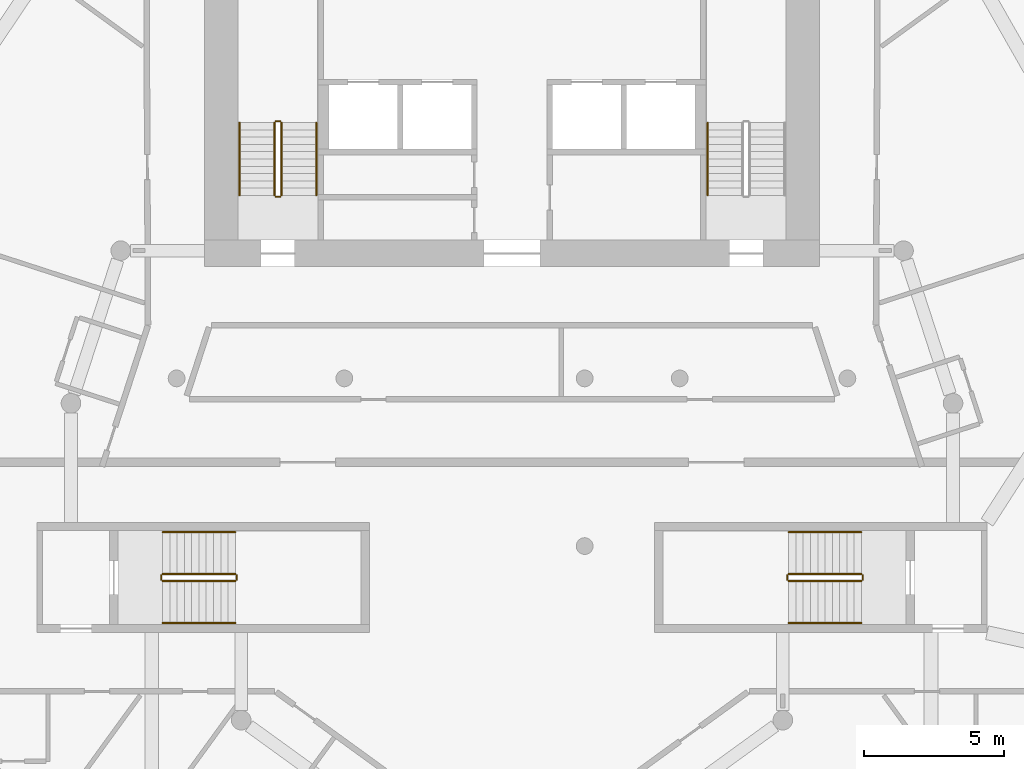
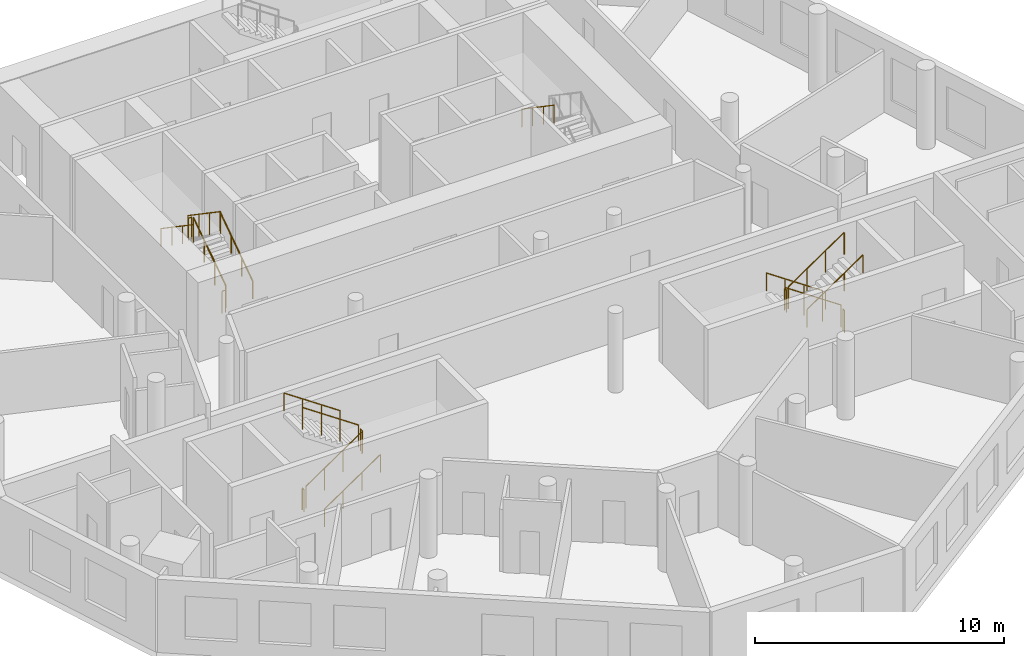
# One storey, part 8 of 9: 19 railings.
"""IFC4 building model written with IfcOpenShell, lengths in metres."""

from ifc_helpers import new_model, si_unit, direction, frame, origin, origin_2d, place, context, subcontext, project, spatial, circle, extrude, material, type_object, element, save


model = new_model("IFC4")

# Units and contexts
model_context = context("Model", 3, precision=1e-05, world=origin(), true_north=direction((0.0, 1.0)))
body_context = subcontext(model_context, "Body", "Model", "MODEL_VIEW")
ifc_project = project(units=[si_unit("LENGTHUNIT", "METRE"), si_unit("AREAUNIT", "SQUARE_METRE"), si_unit("VOLUMEUNIT", "CUBIC_METRE"), si_unit("PLANEANGLEUNIT", "RADIAN"), si_unit("MASSUNIT", "GRAM", prefix="KILO")], contexts=[model_context])

# Site, building, storey
site_placement = place(None, origin())
site = spatial("IfcSite", under=ifc_project, at=site_placement, CompositionType="ELEMENT")
building_placement = place(site_placement, origin())
building = spatial("IfcBuilding", under=site, at=building_placement, Name="White Candle Pilgrim Tower", CompositionType="ELEMENT")
storey_placement = place(building_placement, frame((0.0, 0.0, 175.89990234375)))
storey = spatial("IfcBuildingStorey", under=building, at=storey_placement, Name="L40", CompositionType="ELEMENT", Elevation=175.89990234375)

# Railings
ifc_material = material(Name="Stainless steel", Category="steel")
railing_type_1 = type_object("IfcRailingType", Name="Stair guard stainless steel 1100 mm", PredefinedType="GUARDRAIL", material=ifc_material)
railing_1_placement = place(storey_placement, frame((61.75, 73.550048828125, 0.177490234375)))
element("IfcRailing", 1, at=railing_1_placement, inside=storey, type_object=railing_type_1, Name="L40 ST1 stair guard 1", PredefinedType="GUARDRAIL", context=body_context, shape_type="SweptSolid", body=[
    extrude(circle(Radius=0.02392578125, at=origin_2d()), frame((0.0, 0.0, 1.076171875), z_axis=(0.0, 0.826215852431, 0.563353676824), x_axis=(-1.0, 0.0, 0.0)), (0.0, 0.0, 1.0), 3.146728515625),
    extrude(circle(Radius=0.02099609375, at=origin_2d()), origin(), (0.0, 0.0, 1.0), 1.052001953125),
    extrude(circle(Radius=0.02099609375, at=origin_2d()), frame((0.0, 0.86669921875, 0.5908203125)), (0.0, 0.0, 1.0), 1.052001953125),
    extrude(circle(Radius=0.02099609375, at=origin_2d()), frame((0.0, 1.733154296875, 1.181884765625)), (0.0, 0.0, 1.0), 1.052001953125),
    extrude(circle(Radius=0.02099609375, at=origin_2d()), frame((0.0, 2.599853515625, 1.772705078125)), (0.0, 0.0, 1.0), 1.052001953125),
])
railing_2_placement = place(storey_placement, frame((61.699951171875, 76.199951171875, 1.9501953125)))
element("IfcRailing", 2, at=railing_2_placement, inside=storey, type_object=railing_type_1, Name="L40 ST1 stair guard 2", PredefinedType="GUARDRAIL", context=body_context, shape_type="SweptSolid", body=[
    extrude(circle(Radius=0.02392578125, at=origin_2d()), frame((0.0, 0.0, 1.076171875), z_axis=(-1.0, 0.0, 0.0), x_axis=(0.0, -1.0, 0.0)), (0.0, 0.0, 1.0), 0.14990234375),
    extrude(circle(Radius=0.02099609375, at=origin_2d()), origin(), (0.0, 0.0, 1.0), 1.052001953125),
    extrude(circle(Radius=0.02099609375, at=origin_2d()), frame((-0.14990234375, 0.0, 0.0)), (0.0, 0.0, 1.0), 1.052001953125),
])
railing_3_placement = place(storey_placement, frame((61.5, 76.14990234375, 2.12744140625)))
element("IfcRailing", 3, at=railing_3_placement, inside=storey, type_object=railing_type_1, Name="L40 ST1 stair guard 3", PredefinedType="GUARDRAIL", context=body_context, shape_type="SweptSolid", body=[
    extrude(circle(Radius=0.02392578125, at=origin_2d()), frame((0.0, 0.0, 1.076171875), z_axis=(0.0, -0.826215852431, 0.563353676824), x_axis=(1.0, 0.0, 0.0)), (0.0, 0.0, 1.0), 3.146728515625),
    extrude(circle(Radius=0.02099609375, at=origin_2d()), origin(), (0.0, 0.0, 1.0), 1.052001953125),
    extrude(circle(Radius=0.02099609375, at=origin_2d()), frame((0.0, -0.86669921875, 0.5908203125)), (0.0, 0.0, 1.0), 1.052001953125),
    extrude(circle(Radius=0.02099609375, at=origin_2d()), frame((0.0, -1.733154296875, 1.181884765625)), (0.0, 0.0, 1.0), 1.052001953125),
    extrude(circle(Radius=0.02099609375, at=origin_2d()), frame((0.0, -2.599853515625, 1.772705078125)), (0.0, 0.0, 1.0), 1.052001953125),
])
railing_4_placement = place(storey_placement, frame((61.699951171875, 73.5, 0.0)))
element("IfcRailing", 4, at=railing_4_placement, inside=storey, type_object=railing_type_1, Name="L40 ST1 stair guard 4", PredefinedType="GUARDRAIL", context=body_context, shape_type="SweptSolid", body=[
    extrude(circle(Radius=0.02392578125, at=origin_2d()), frame((0.0, 0.0, 1.076171875), z_axis=(-1.0, 0.0, 0.0), x_axis=(0.0, -1.0, 0.0)), (0.0, 0.0, 1.0), 0.14990234375),
    extrude(circle(Radius=0.02099609375, at=origin_2d()), origin(), (0.0, 0.0, 1.0), 1.052001953125),
    extrude(circle(Radius=0.02099609375, at=origin_2d()), frame((-0.14990234375, 0.0, 0.0)), (0.0, 0.0, 1.0), 1.052001953125),
])
railing_5_placement = place(storey_placement, frame((82.5, 60.0, 0.177490234375)))
element("IfcRailing", 5, at=railing_5_placement, inside=storey, type_object=railing_type_1, Name="L40 ST4 stair guard 1", PredefinedType="GUARDRAIL", context=body_context, shape_type="SweptSolid", body=[
    extrude(circle(Radius=0.02392578125, at=origin_2d()), frame((0.0, 0.0, 1.076171875), z_axis=(-0.826240473404, 0.0, 0.563317565952), x_axis=(0.0, -1.0, 0.0)), (0.0, 0.0, 1.0), 3.14697265625),
    extrude(circle(Radius=0.02099609375, at=origin_2d()), origin(), (0.0, 0.0, 1.0), 1.052001953125),
    extrude(circle(Radius=0.02099609375, at=origin_2d()), frame((-0.86669921875, 0.0, 0.5908203125)), (0.0, 0.0, 1.0), 1.052001953125),
    extrude(circle(Radius=0.02099609375, at=origin_2d()), frame((-1.7333984375, 0.0, 1.181884765625)), (0.0, 0.0, 1.0), 1.052001953125),
    extrude(circle(Radius=0.02099609375, at=origin_2d()), frame((-2.60009765625, 0.0, 1.772705078125)), (0.0, 0.0, 1.0), 1.052001953125),
])
railing_6_placement = place(storey_placement, frame((79.85009765625, 59.949951171875, 1.9501953125)))
element("IfcRailing", 6, at=railing_6_placement, inside=storey, type_object=railing_type_1, Name="L40 ST4 stair guard 2", PredefinedType="GUARDRAIL", context=body_context, shape_type="SweptSolid", body=[
    extrude(circle(Radius=0.02392578125, at=origin_2d()), frame((0.0, 0.0, 1.076171875), z_axis=(0.0, -1.0, 0.0), x_axis=(1.0, 0.0, 0.0)), (0.0, 0.0, 1.0), 0.14990234375),
    extrude(circle(Radius=0.02099609375, at=origin_2d()), origin(), (0.0, 0.0, 1.0), 1.052001953125),
    extrude(circle(Radius=0.02099609375, at=origin_2d()), frame((0.0, -0.14990234375, 0.0)), (0.0, 0.0, 1.0), 1.052001953125),
])
railing_7_placement = place(storey_placement, frame((79.89990234375, 59.75, 2.12744140625)))
element("IfcRailing", 7, at=railing_7_placement, inside=storey, type_object=railing_type_1, Name="L40 ST4 stair guard 3", PredefinedType="GUARDRAIL", context=body_context, shape_type="SweptSolid", body=[
    extrude(circle(Radius=0.02392578125, at=origin_2d()), frame((0.0, 0.0, 1.076171875), z_axis=(0.826240473404, 0.0, 0.563317565952), x_axis=(0.0, 1.0, 0.0)), (0.0, 0.0, 1.0), 3.14697265625),
    extrude(circle(Radius=0.02099609375, at=origin_2d()), origin(), (0.0, 0.0, 1.0), 1.052001953125),
    extrude(circle(Radius=0.02099609375, at=origin_2d()), frame((0.86669921875, 0.0, 0.5908203125)), (0.0, 0.0, 1.0), 1.052001953125),
    extrude(circle(Radius=0.02099609375, at=origin_2d()), frame((1.7333984375, 0.0, 1.181884765625)), (0.0, 0.0, 1.0), 1.052001953125),
    extrude(circle(Radius=0.02099609375, at=origin_2d()), frame((2.60009765625, 0.0, 1.772705078125)), (0.0, 0.0, 1.0), 1.052001953125),
])
railing_8_placement = place(storey_placement, frame((82.550048828125, 59.949951171875, 0.0)))
element("IfcRailing", 8, at=railing_8_placement, inside=storey, type_object=railing_type_1, Name="L40 ST4 stair guard 4", PredefinedType="GUARDRAIL", context=body_context, shape_type="SweptSolid", body=[
    extrude(circle(Radius=0.02392578125, at=origin_2d()), frame((0.0, 0.0, 1.076171875), z_axis=(0.0, -1.0, 0.0), x_axis=(1.0, 0.0, 0.0)), (0.0, 0.0, 1.0), 0.14990234375),
    extrude(circle(Radius=0.02099609375, at=origin_2d()), origin(), (0.0, 0.0, 1.0), 1.052001953125),
    extrude(circle(Radius=0.02099609375, at=origin_2d()), frame((0.0, -0.14990234375, 0.0)), (0.0, 0.0, 1.0), 1.052001953125),
])
railing_9_placement = place(storey_placement, frame((57.5, 59.75, 0.177490234375)))
element("IfcRailing", 9, at=railing_9_placement, inside=storey, type_object=railing_type_1, Name="L40 ST5 stair guard 1", PredefinedType="GUARDRAIL", context=body_context, shape_type="SweptSolid", body=[
    extrude(circle(Radius=0.02392578125, at=origin_2d()), frame((0.0, 0.0, 1.076171875), z_axis=(0.826240473404, 0.0, 0.563317565952), x_axis=(0.0, 1.0, 0.0)), (0.0, 0.0, 1.0), 3.14697265625),
    extrude(circle(Radius=0.02099609375, at=origin_2d()), origin(), (0.0, 0.0, 1.0), 1.052001953125),
    extrude(circle(Radius=0.02099609375, at=origin_2d()), frame((0.86669921875, 0.0, 0.5908203125)), (0.0, 0.0, 1.0), 1.052001953125),
    extrude(circle(Radius=0.02099609375, at=origin_2d()), frame((1.7333984375, 0.0, 1.181884765625)), (0.0, 0.0, 1.0), 1.052001953125),
    extrude(circle(Radius=0.02099609375, at=origin_2d()), frame((2.60009765625, 0.0, 1.772705078125)), (0.0, 0.0, 1.0), 1.052001953125),
])
railing_10_placement = place(storey_placement, frame((60.14990234375, 59.800048828125, 1.9501953125)))
element("IfcRailing", 10, at=railing_10_placement, inside=storey, type_object=railing_type_1, Name="L40 ST5 stair guard 2", PredefinedType="GUARDRAIL", context=body_context, shape_type="SweptSolid", body=[
    extrude(circle(Radius=0.02392578125, at=origin_2d()), frame((0.0, 0.0, 1.076171875), z_axis=(0.0, 1.0, 0.0), x_axis=(-1.0, 0.0, 0.0)), (0.0, 0.0, 1.0), 0.14990234375),
    extrude(circle(Radius=0.02099609375, at=origin_2d()), origin(), (0.0, 0.0, 1.0), 1.052001953125),
    extrude(circle(Radius=0.02099609375, at=origin_2d()), frame((0.0, 0.14990234375, 0.0)), (0.0, 0.0, 1.0), 1.052001953125),
])
railing_11_placement = place(storey_placement, frame((60.10009765625, 60.0, 2.12744140625)))
element("IfcRailing", 11, at=railing_11_placement, inside=storey, type_object=railing_type_1, Name="L40 ST5 stair guard 3", PredefinedType="GUARDRAIL", context=body_context, shape_type="SweptSolid", body=[
    extrude(circle(Radius=0.02392578125, at=origin_2d()), frame((0.0, 0.0, 1.076171875), z_axis=(-0.826240473404, 0.0, 0.563317565952), x_axis=(0.0, -1.0, 0.0)), (0.0, 0.0, 1.0), 3.14697265625),
    extrude(circle(Radius=0.02099609375, at=origin_2d()), origin(), (0.0, 0.0, 1.0), 1.052001953125),
    extrude(circle(Radius=0.02099609375, at=origin_2d()), frame((-0.86669921875, 0.0, 0.5908203125)), (0.0, 0.0, 1.0), 1.052001953125),
    extrude(circle(Radius=0.02099609375, at=origin_2d()), frame((-1.7333984375, 0.0, 1.181884765625)), (0.0, 0.0, 1.0), 1.052001953125),
    extrude(circle(Radius=0.02099609375, at=origin_2d()), frame((-2.60009765625, 0.0, 1.772705078125)), (0.0, 0.0, 1.0), 1.052001953125),
])
railing_12_placement = place(storey_placement, frame((57.449951171875, 59.800048828125, 0.0)))
element("IfcRailing", 12, at=railing_12_placement, inside=storey, type_object=railing_type_1, Name="L40 ST5 stair guard 4", PredefinedType="GUARDRAIL", context=body_context, shape_type="SweptSolid", body=[
    extrude(circle(Radius=0.02392578125, at=origin_2d()), frame((0.0, 0.0, 1.076171875), z_axis=(0.0, 1.0, 0.0), x_axis=(-1.0, 0.0, 0.0)), (0.0, 0.0, 1.0), 0.14990234375),
    extrude(circle(Radius=0.02099609375, at=origin_2d()), origin(), (0.0, 0.0, 1.0), 1.052001953125),
    extrude(circle(Radius=0.02099609375, at=origin_2d()), frame((0.0, 0.14990234375, 0.0)), (0.0, 0.0, 1.0), 1.052001953125),
])
railing_type_2 = type_object("IfcRailingType", Name="Stair handrail stainless steel", PredefinedType="HANDRAIL", material=ifc_material)
railing_13_placement = place(storey_placement, frame((63.0, 73.550048828125, 0.177490234375)))
element("IfcRailing", 13, at=railing_13_placement, inside=storey, type_object=railing_type_2, Name="L40 ST1 stair handrail 1", PredefinedType="HANDRAIL", context=body_context, shape_type="SweptSolid", body=[
    extrude(circle(Radius=0.02392578125, at=origin_2d()), frame((0.0, 0.0, 0.8759765625), z_axis=(0.0, 0.826215852431, 0.563353676824), x_axis=(-1.0, 0.0, 0.0)), (0.0, 0.0, 1.0), 3.146728515625),
    extrude(circle(Radius=0.02099609375, at=origin_2d()), origin(), (0.0, 0.0, 1.0), 0.851806640625),
    extrude(circle(Radius=0.02099609375, at=origin_2d()), frame((0.0, 0.86669921875, 0.5908203125)), (0.0, 0.0, 1.0), 0.851806640625),
    extrude(circle(Radius=0.02099609375, at=origin_2d()), frame((0.0, 1.733154296875, 1.181884765625)), (0.0, 0.0, 1.0), 0.851806640625),
    extrude(circle(Radius=0.02099609375, at=origin_2d()), frame((0.0, 2.599853515625, 1.772705078125)), (0.0, 0.0, 1.0), 0.851806640625),
])
for number, where, name in (
    (14, (60.25, 76.14990234375, 2.12744140625), "L40 ST1 stair handrail 2"),
    (15, (77.0, 76.14990234375, 2.12744140625), "L40 ST2 stair handrail 2"),
):
    element("IfcRailing", number, at=place(storey_placement, frame(where)), inside=storey, type_object=railing_type_2, Name=name, PredefinedType="HANDRAIL", context=body_context, shape_type="SweptSolid", body=[
        extrude(circle(Radius=0.02392578125, at=origin_2d()), frame((0.0, 0.0, 0.8759765625), z_axis=(0.0, -0.826215852431, 0.563353676824), x_axis=(1.0, 0.0, 0.0)), (0.0, 0.0, 1.0), 3.146728515625),
        extrude(circle(Radius=0.02099609375, at=origin_2d()), origin(), (0.0, 0.0, 1.0), 0.851806640625),
        extrude(circle(Radius=0.02099609375, at=origin_2d()), frame((0.0, -0.86669921875, 0.5908203125)), (0.0, 0.0, 1.0), 0.851806640625),
        extrude(circle(Radius=0.02099609375, at=origin_2d()), frame((0.0, -1.733154296875, 1.181884765625)), (0.0, 0.0, 1.0), 0.851806640625),
        extrude(circle(Radius=0.02099609375, at=origin_2d()), frame((0.0, -2.599853515625, 1.772705078125)), (0.0, 0.0, 1.0), 0.851806640625),
    ])
railing_14_placement = place(storey_placement, frame((82.5, 61.5, 0.177490234375)))
element("IfcRailing", 16, at=railing_14_placement, inside=storey, type_object=railing_type_2, Name="L40 ST4 stair handrail 1", PredefinedType="HANDRAIL", context=body_context, shape_type="SweptSolid", body=[
    extrude(circle(Radius=0.02392578125, at=origin_2d()), frame((0.0, 0.0, 0.8759765625), z_axis=(-0.826240473404, 0.0, 0.563317565952), x_axis=(0.0, -1.0, 0.0)), (0.0, 0.0, 1.0), 3.14697265625),
    extrude(circle(Radius=0.02099609375, at=origin_2d()), origin(), (0.0, 0.0, 1.0), 0.851806640625),
    extrude(circle(Radius=0.02099609375, at=origin_2d()), frame((-0.86669921875, 0.0, 0.5908203125)), (0.0, 0.0, 1.0), 0.851806640625),
    extrude(circle(Radius=0.02099609375, at=origin_2d()), frame((-1.7333984375, 0.0, 1.181884765625)), (0.0, 0.0, 1.0), 0.851806640625),
    extrude(circle(Radius=0.02099609375, at=origin_2d()), frame((-2.60009765625, 0.0, 1.772705078125)), (0.0, 0.0, 1.0), 0.851806640625),
])
for number, where, name in (
    (17, (79.89990234375, 58.25, 2.12744140625), "L40 ST4 stair handrail 2"),
    (18, (57.5, 58.25, 0.177490234375), "L40 ST5 stair handrail 1"),
):
    element("IfcRailing", number, at=place(storey_placement, frame(where)), inside=storey, type_object=railing_type_2, Name=name, PredefinedType="HANDRAIL", context=body_context, shape_type="SweptSolid", body=[
        extrude(circle(Radius=0.02392578125, at=origin_2d()), frame((0.0, 0.0, 0.8759765625), z_axis=(0.826240473404, 0.0, 0.563317565952), x_axis=(0.0, 1.0, 0.0)), (0.0, 0.0, 1.0), 3.14697265625),
        extrude(circle(Radius=0.02099609375, at=origin_2d()), origin(), (0.0, 0.0, 1.0), 0.851806640625),
        extrude(circle(Radius=0.02099609375, at=origin_2d()), frame((0.86669921875, 0.0, 0.5908203125)), (0.0, 0.0, 1.0), 0.851806640625),
        extrude(circle(Radius=0.02099609375, at=origin_2d()), frame((1.7333984375, 0.0, 1.181884765625)), (0.0, 0.0, 1.0), 0.851806640625),
        extrude(circle(Radius=0.02099609375, at=origin_2d()), frame((2.60009765625, 0.0, 1.772705078125)), (0.0, 0.0, 1.0), 0.851806640625),
    ])
railing_15_placement = place(storey_placement, frame((60.10009765625, 61.5, 2.12744140625)))
element("IfcRailing", 19, at=railing_15_placement, inside=storey, type_object=railing_type_2, Name="L40 ST5 stair handrail 2", PredefinedType="HANDRAIL", context=body_context, shape_type="SweptSolid", body=[
    extrude(circle(Radius=0.02392578125, at=origin_2d()), frame((0.0, 0.0, 0.8759765625), z_axis=(-0.826240473404, 0.0, 0.563317565952), x_axis=(0.0, -1.0, 0.0)), (0.0, 0.0, 1.0), 3.14697265625),
    extrude(circle(Radius=0.02099609375, at=origin_2d()), origin(), (0.0, 0.0, 1.0), 0.851806640625),
    extrude(circle(Radius=0.02099609375, at=origin_2d()), frame((-0.86669921875, 0.0, 0.5908203125)), (0.0, 0.0, 1.0), 0.851806640625),
    extrude(circle(Radius=0.02099609375, at=origin_2d()), frame((-1.7333984375, 0.0, 1.181884765625)), (0.0, 0.0, 1.0), 0.851806640625),
    extrude(circle(Radius=0.02099609375, at=origin_2d()), frame((-2.60009765625, 0.0, 1.772705078125)), (0.0, 0.0, 1.0), 0.851806640625),
])

save(model, "model.ifc")
